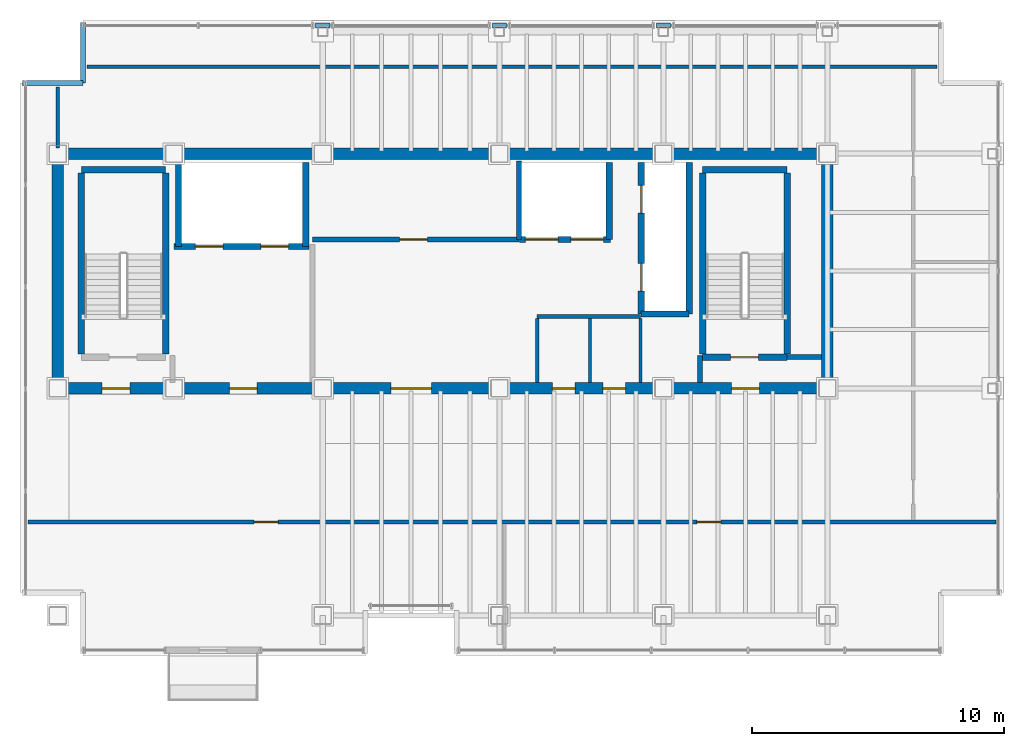
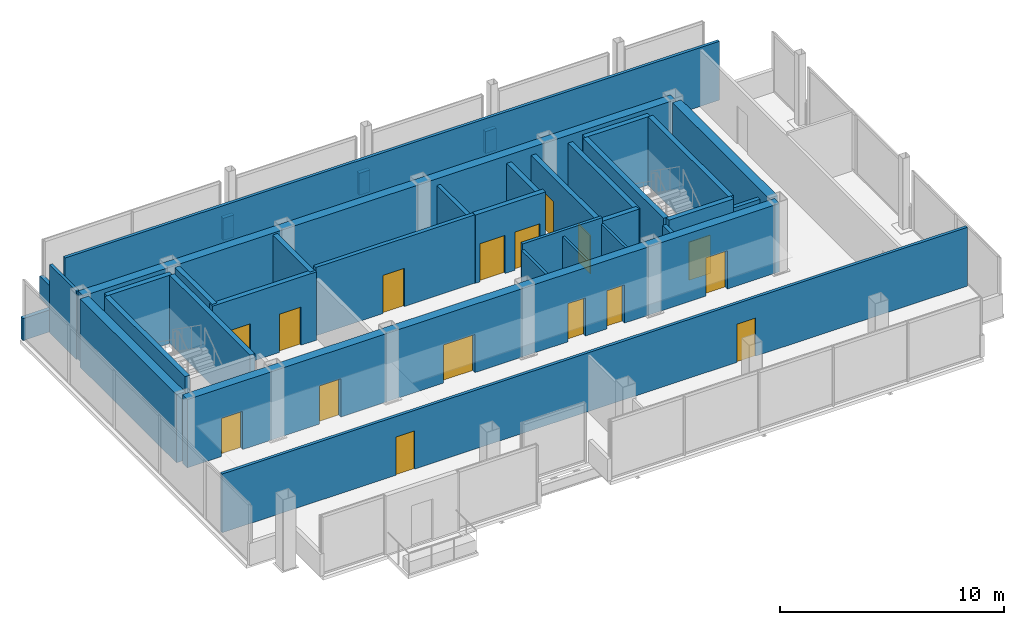
# One storey, part 15 of 17: 35 walls, 16 doors, 16 openings.
"""IFC4 building model written with IfcOpenShell, lengths in metres."""

import ifcopenshell
import ifcopenshell.guid

model = None  # the IFC model being written
_history = None  # IfcOwnerHistory: only IFC2X3 demands one
_inside = {}  # id of a spatial element -> (the spatial element, [elements in it])
_under = {}  # id of a project, library or spatial element -> (it, [spatial elements below it])
_declared = {}  # id of a project -> (the project, [libraries it declares])
_typed = {}  # id of a type object -> (the type object, [elements of that type])
_made_of = {}  # id of a material, layer set ... -> (it, [elements and type objects made of it])


def new_model(schema):
    """Start an empty IFC model of exactly this schema.

    Asked for "IFC4X3", IfcOpenShell would pick the latest addendum, in which some entities
    have other attributes; the version numbers below select the first issue.
    IFC2X3 requires an IfcOwnerHistory on every rooted entity: one is made here for all.
    """
    global model, _history
    if schema == "IFC4X3":
        model = ifcopenshell.file(schema_version=(4, 3, 0, 0))
    else:
        model = ifcopenshell.file(schema=schema)
    _inside.clear()
    _under.clear()
    _declared.clear()
    _typed.clear()
    _made_of.clear()
    _history = None
    if model.schema == "IFC2X3":
        org = make("IfcOrganization", Name="unknown")
        user = make(
            "IfcPersonAndOrganization",
            ThePerson=make("IfcPerson", FamilyName="unknown"),
            TheOrganization=org,
        )
        app = make(
            "IfcApplication",
            ApplicationDeveloper=org,
            Version="unknown",
            ApplicationFullName="unknown",
            ApplicationIdentifier="unknown",
        )
        _history = make(
            "IfcOwnerHistory",
            OwningUser=user,
            OwningApplication=app,
            ChangeAction="ADDED",
            CreationDate=0,
        )
    return model


def make(cls, **values):
    """One entity of the class cls with the attributes given. An attribute that is None is left unset."""
    return model.create_entity(
        cls, **{name: value for name, value in values.items() if value is not None}
    )


def rooted(cls, **values):
    """An entity with a GlobalId (a new one), such as an element, a storey or a relation."""
    return make(cls, GlobalId=ifcopenshell.guid.new(), OwnerHistory=_history, **values)


def si_unit(unit_type, name, prefix=None):
    """IfcSIUnit, for example si_unit("LENGTHUNIT", "METRE", prefix="MILLI")."""
    return make("IfcSIUnit", UnitType=unit_type, Prefix=prefix, Name=name)


def assignment(units):
    """IfcUnitAssignment: the units of a project."""
    return None if units is None else make("IfcUnitAssignment", Units=units)


def point(xyz):
    """IfcCartesianPoint."""
    return None if xyz is None else make("IfcCartesianPoint", Coordinates=xyz)


def direction(xyz):
    """IfcDirection."""
    return None if xyz is None else make("IfcDirection", DirectionRatios=xyz)


def frame(location, z_axis=None, x_axis=None):
    """IfcAxis2Placement3D, a coordinate frame: its origin and axes. An axis left out is left unset."""
    return make(
        "IfcAxis2Placement3D",
        Location=point(location),
        Axis=direction(z_axis),
        RefDirection=direction(x_axis),
    )


def frame_2d(location, x_axis=None):
    """IfcAxis2Placement2D, a coordinate frame in the plane: its origin and x axis."""
    return make(
        "IfcAxis2Placement2D", Location=point(location), RefDirection=direction(x_axis)
    )


def origin():
    """The frame at (0, 0, 0) with its axes left unset."""
    return frame((0.0, 0.0, 0.0))


def place(relative_to, where):
    """IfcLocalPlacement: puts the frame where relative to a parent placement (None: the world)."""
    return make(
        "IfcLocalPlacement", PlacementRelTo=relative_to, RelativePlacement=where
    )


def context(
    kind, dimensions, precision=None, world=None, true_north=None, identifier=None
):
    """IfcGeometricRepresentationContext, for example the 3D "Model" context."""
    return make(
        "IfcGeometricRepresentationContext",
        ContextIdentifier=identifier,
        ContextType=kind,
        CoordinateSpaceDimension=dimensions,
        Precision=precision,
        WorldCoordinateSystem=world,
        TrueNorth=true_north,
    )


def subcontext(parent, identifier, kind, view, scale=None):
    """IfcGeometricRepresentationSubContext, for example "Body" below "Model"."""
    return make(
        "IfcGeometricRepresentationSubContext",
        ContextIdentifier=identifier,
        ContextType=kind,
        ParentContext=parent,
        TargetScale=scale,
        TargetView=view,
    )


def project(units=None, contexts=None):
    """IfcProject with its units and contexts."""
    return rooted(
        "IfcProject",
        Name="project",
        RepresentationContexts=contexts,
        UnitsInContext=assignment(units),
    )


def spatial(cls, under=None, at=None, **own):
    """A site, building, storey or space (cls), placed at a placement, below another one or the project."""
    s = rooted(cls, ObjectPlacement=at, **own)
    if under is not None:
        _under.setdefault(under.id(), (under, []))[1].append(s)
    return s


def profile(cls, at=None, kind="AREA", **sizes):
    """A parametric profile (cls). Its sizes go by their IFC names, for example OverallWidth=200.0."""
    return make(cls, ProfileType=kind, Position=at, **sizes)


def rectangle(**sizes):
    """IfcRectangleProfileDef."""
    return profile("IfcRectangleProfileDef", **sizes)


def extrude(swept, where, along, depth):
    """IfcExtrudedAreaSolid: the profile swept, set in the frame where, extruded along a direction by depth."""
    return make(
        "IfcExtrudedAreaSolid",
        SweptArea=swept,
        Position=where,
        ExtrudedDirection=direction(along),
        Depth=depth,
    )


def shape(context_of_items, identifier, shape_type, items):
    """IfcShapeRepresentation: the items that make up one representation, for example the "Body"."""
    return make(
        "IfcShapeRepresentation",
        ContextOfItems=context_of_items,
        RepresentationIdentifier=identifier,
        RepresentationType=shape_type,
        Items=items,
    )


def material(Name=None, Category=None):
    """IfcMaterial."""
    return make("IfcMaterial", Name=Name, Category=Category)


def layer(
    of_material, thickness, ventilated=None, Name=None, Category=None, Priority=None
):
    """IfcMaterialLayer: one layer of a wall or slab, of a material (None: an air gap)."""
    return make(
        "IfcMaterialLayer",
        Material=of_material,
        LayerThickness=thickness,
        IsVentilated=ventilated,
        Name=Name,
        Category=Category,
        Priority=Priority,
    )


def layer_set(layers, Name=None):
    """IfcMaterialLayerSet."""
    return make("IfcMaterialLayerSet", MaterialLayers=layers, LayerSetName=Name)


def made_of(thing, what):
    """Note that an element or type object is made of a material, layer set ...; save() writes the relation."""
    if what is not None:
        _made_of.setdefault(what.id(), (what, []))[1].append(thing)
    return thing


def type_object(cls, material=None, **own):
    """A type object (cls), such as IfcWallType, which elements share."""
    return made_of(rooted(cls, **own), material)


def element(
    cls,
    number,
    at=None,
    inside=None,
    cuts=None,
    type_object=None,
    material=None,
    context=None,
    identifier="Body",
    shape_type=None,
    held_by="IfcProductDefinitionShape",
    body=None,
    shapes=None,
    **own,
):
    """One element of the class cls, such as IfcWall. Its Tag is "e" and its number.

    at: its placement. inside: the storey or other place that contains it. cuts: it is an
    opening in that element (IfcRelVoidsElement). A single representation is given by context,
    identifier, shape_type and body (its items); several are given by shapes. held_by: the class
    of the entity that holds the representations. save() writes the other relations.
    """
    e = rooted(cls, Tag="e%d" % number, ObjectPlacement=at, **own)
    if body is not None:
        shapes = [shape(context, identifier, shape_type, body)]
    if shapes is not None:
        e.Representation = make(held_by, Representations=shapes)
    if inside is not None:
        _inside.setdefault(inside.id(), (inside, []))[1].append(e)
    if cuts is not None:
        rooted(
            "IfcRelVoidsElement", RelatingBuildingElement=cuts, RelatedOpeningElement=e
        )
    if type_object is not None:
        _typed.setdefault(type_object.id(), (type_object, []))[1].append(e)
    return made_of(e, material)


def fill(opening, filler):
    """IfcRelFillsElement: the door or window that sits in an opening."""
    return rooted(
        "IfcRelFillsElement",
        RelatingOpeningElement=opening,
        RelatedBuildingElement=filler,
    )


def aggregate(whole, parts):
    """IfcRelAggregates: a whole, such as a stair, and the parts it consists of."""
    return rooted("IfcRelAggregates", RelatingObject=whole, RelatedObjects=parts)


def save(model, path):
    """Write the relations noted so far, then the file.

    IfcRelAggregates (storeys below a building ...), IfcRelContainedInSpatialStructure (elements
    in a storey), IfcRelDefinesByType, IfcRelAssociatesMaterial and IfcRelDeclares: one each for
    every whole, place, type object, material and project.
    """
    for whole, parts in _under.values():
        aggregate(whole, parts)
    for where, things in _inside.values():
        rooted(
            "IfcRelContainedInSpatialStructure",
            RelatedElements=things,
            RelatingStructure=where,
        )
    for kind, things in _typed.values():
        rooted("IfcRelDefinesByType", RelatedObjects=things, RelatingType=kind)
    for what, things in _made_of.values():
        rooted("IfcRelAssociatesMaterial", RelatedObjects=things, RelatingMaterial=what)
    for by, libraries in _declared.values():
        rooted("IfcRelDeclares", RelatingContext=by, RelatedDefinitions=libraries)
    model.write(path)


model = new_model("IFC4")

# Units and contexts
model_context = context("Model", 3, precision=1e-05, world=origin(), true_north=direction((0.0, 1.0)))
body_context = subcontext(model_context, "Body", "Model", "MODEL_VIEW")
ifc_project = project(units=[si_unit("LENGTHUNIT", "METRE"), si_unit("AREAUNIT", "SQUARE_METRE"), si_unit("VOLUMEUNIT", "CUBIC_METRE"), si_unit("PLANEANGLEUNIT", "RADIAN"), si_unit("MASSUNIT", "GRAM", prefix="KILO")], contexts=[model_context])

# Site, building, storey
site_placement = place(None, origin())
site = spatial("IfcSite", under=ifc_project, at=site_placement, CompositionType="ELEMENT")
building_placement = place(site_placement, origin())
building = spatial("IfcBuilding", under=site, at=building_placement, Name="Noeulbin Bourse Tower", CompositionType="ELEMENT")
storey_placement = place(building_placement, frame((0.0, 0.0, 285.199951171875)))
storey = spatial("IfcBuildingStorey", under=building, at=storey_placement, Name="L71", CompositionType="ELEMENT", Elevation=285.199951171875)

# Wall, openings, doors
ifc_material_1 = material(Name="Concrete C50/60", Category="concrete")
ifc_layer_1 = layer(ifc_material_1, 0.449951171875)
ifc_layer_set_1 = layer_set([ifc_layer_1], Name="Concrete C50/60")
wall_type_1 = type_object("IfcWallType", Name="WAL-CORE-450", PredefinedType="SHEAR", material=ifc_layer_set_1)
wall_1_placement = place(storey_placement, frame((13.5, 29.0, 0.0), z_axis=(0.0, 0.0, 1.0), x_axis=(1.0, 0.0, 0.0)))
wall_1 = element("IfcWall", 1, at=wall_1_placement, inside=storey, type_object=wall_type_1, Name="Rear Core South Shear Wall L71", PredefinedType="SHEAR", context=body_context, shape_type="SweptSolid", body=[
    extrude(rectangle(XDim=30.5, YDim=0.449951171875, at=frame_2d((15.25, 0.0))), origin(), (0.0, 0.0, 1.0), 3.719970703125),
])
opening_1_placement = place(wall_1_placement, frame((1.75, 0.0, 0.0)))
opening_1 = element("IfcOpeningElement", 2, at=opening_1_placement, cuts=wall_1, Name="Opening FD-11", PredefinedType="OPENING", context=body_context, shape_type="SweptSolid", body=[
    extrude(rectangle(XDim=1.10009765625, YDim=2.080078125, at=frame_2d((0.550048828125, 1.0400390625))), frame((0.0, 0.23486328125, 0.0), z_axis=(0.0, -1.0, 0.0), x_axis=(1.0, 0.0, 0.0)), (0.0, 0.0, 1.0), 0.469970703125),
])
opening_2_placement = place(wall_1_placement, frame((26.699951171875, 0.0, 0.0)))
opening_2 = element("IfcOpeningElement", 3, at=opening_2_placement, cuts=wall_1, Name="Opening FD-11", PredefinedType="OPENING", context=body_context, shape_type="SweptSolid", body=[
    extrude(rectangle(XDim=1.10009765625, YDim=2.080078125, at=frame_2d((0.550048828125, 1.0400390625))), frame((0.0, 0.23486328125, 0.0), z_axis=(0.0, -1.0, 0.0), x_axis=(1.0, 0.0, 0.0)), (0.0, 0.0, 1.0), 0.469970703125),
])
opening_3_placement = place(wall_1_placement, frame((6.800048828125, 0.0, 0.0)))
opening_3 = element("IfcOpeningElement", 4, at=opening_3_placement, cuts=wall_1, Name="Opening FD-11", PredefinedType="OPENING", context=body_context, shape_type="SweptSolid", body=[
    extrude(rectangle(XDim=1.10009765625, YDim=2.080078125, at=frame_2d((0.550048828125, 1.0400390625))), frame((0.0, 0.23486328125, 0.0), z_axis=(0.0, -1.0, 0.0), x_axis=(1.0, 0.0, 0.0)), (0.0, 0.0, 1.0), 0.469970703125),
])
opening_4_placement = place(wall_1_placement, frame((13.199951171875, 0.0, 0.0)))
opening_4 = element("IfcOpeningElement", 5, at=opening_4_placement, cuts=wall_1, Name="Opening ID-16", PredefinedType="OPENING", context=body_context, shape_type="SweptSolid", body=[
    extrude(rectangle(XDim=1.60009765625, YDim=2.080078125, at=frame_2d((0.800048828125, 1.0400390625))), frame((0.0, 0.23486328125, 0.0), z_axis=(0.0, -1.0, 0.0), x_axis=(1.0, 0.0, 0.0)), (0.0, 0.0, 1.0), 0.469970703125),
])
opening_5_placement = place(wall_1_placement, frame((19.60009765625, 0.0, 0.0)))
opening_5 = element("IfcOpeningElement", 6, at=opening_5_placement, cuts=wall_1, Name="Opening FD-09", PredefinedType="OPENING", context=body_context, shape_type="SweptSolid", body=[
    extrude(rectangle(XDim=0.89990234375, YDim=2.080078125, at=frame_2d((0.449951171875, 1.0400390625))), frame((0.0, 0.23486328125, 0.0), z_axis=(0.0, -1.0, 0.0), x_axis=(1.0, 0.0, 0.0)), (0.0, 0.0, 1.0), 0.469970703125),
])
opening_6_placement = place(wall_1_placement, frame((21.60009765625, 0.0, 0.0)))
opening_6 = element("IfcOpeningElement", 7, at=opening_6_placement, cuts=wall_1, Name="Opening FD-09", PredefinedType="OPENING", context=body_context, shape_type="SweptSolid", body=[
    extrude(rectangle(XDim=0.89990234375, YDim=2.080078125, at=frame_2d((0.449951171875, 1.0400390625))), frame((0.0, 0.23486328125, 0.0), z_axis=(0.0, -1.0, 0.0), x_axis=(1.0, 0.0, 0.0)), (0.0, 0.0, 1.0), 0.469970703125),
])
ifc_material_2 = material(Name="Acoustic Glazed Aluminium", Category="aluminium")
door_type_1 = type_object("IfcDoorType", Name="DR-DBL-1600", OperationType="DOUBLE_DOOR_SINGLE_SWING", PredefinedType="DOOR", material=ifc_material_2)
door_1_placement = place(opening_4_placement, origin())
door_1 = element("IfcDoor", 8, at=door_1_placement, inside=storey, type_object=door_type_1, Name="Passenger Lift Lobby Portal L71", OperationType="DOUBLE_DOOR_SINGLE_SWING", OverallHeight=2.080078125, OverallWidth=1.60009765625, PredefinedType="DOOR", context=body_context, shape_type="SweptSolid", body=[
    extrude(rectangle(XDim=1.60009765625, YDim=2.080078125, at=frame_2d((0.800048828125, 1.0400390625))), frame((0.0, 0.02490234375, 0.0), z_axis=(0.0, -1.0, 0.0), x_axis=(1.0, 0.0, 0.0)), (0.0, 0.0, 1.0), 0.050048828125),
])
fill(opening_4, door_1)
ifc_material_3 = material(Name="Fire-Rated Timber Core", Category="wood")
door_type_2 = type_object("IfcDoorType", Name="DR-FD30-900", OperationType="SINGLE_SWING_RIGHT", PredefinedType="DOOR", material=ifc_material_3)
door_2_placement = place(opening_5_placement, origin())
door_2 = element("IfcDoor", 9, at=door_2_placement, inside=storey, type_object=door_type_2, Name="Interior Door L71-06", OperationType="SINGLE_SWING_RIGHT", OverallHeight=2.080078125, OverallWidth=0.89990234375, PredefinedType="DOOR", context=body_context, shape_type="SweptSolid", body=[
    extrude(rectangle(XDim=0.89990234375, YDim=2.080078125, at=frame_2d((0.449951171875, 1.0400390625))), frame((0.0, 0.02490234375, 0.0), z_axis=(0.0, -1.0, 0.0), x_axis=(1.0, 0.0, 0.0)), (0.0, 0.0, 1.0), 0.050048828125),
])
fill(opening_5, door_2)
door_3_placement = place(opening_6_placement, origin())
door_3 = element("IfcDoor", 10, at=door_3_placement, inside=storey, type_object=door_type_2, Name="Interior Door L71-07", OperationType="SINGLE_SWING_LEFT", OverallHeight=2.080078125, OverallWidth=0.89990234375, PredefinedType="DOOR", context=body_context, shape_type="SweptSolid", body=[
    extrude(rectangle(XDim=0.89990234375, YDim=2.080078125, at=frame_2d((0.449951171875, 1.0400390625))), frame((0.0, 0.02490234375, 0.0), z_axis=(0.0, -1.0, 0.0), x_axis=(1.0, 0.0, 0.0)), (0.0, 0.0, 1.0), 0.050048828125),
])
fill(opening_6, door_3)
ifc_material_4 = material(Name="Fire-Rated Insulated Steel", Category="steel")
door_type_3 = type_object("IfcDoorType", Name="DR-FD60-1100", OperationType="SINGLE_SWING_LEFT", PredefinedType="DOOR", material=ifc_material_4)
door_4_placement = place(opening_1_placement, origin())
door_4 = element("IfcDoor", 11, at=door_4_placement, inside=storey, type_object=door_type_3, Name="West Stair Lobby Door L71", OperationType="SINGLE_SWING_LEFT", OverallHeight=2.080078125, OverallWidth=1.10009765625, PredefinedType="DOOR", context=body_context, shape_type="SweptSolid", body=[
    extrude(rectangle(XDim=1.10009765625, YDim=2.080078125, at=frame_2d((0.550048828125, 1.0400390625))), frame((0.0, 0.02490234375, 0.0), z_axis=(0.0, -1.0, 0.0), x_axis=(1.0, 0.0, 0.0)), (0.0, 0.0, 1.0), 0.050048828125),
])
fill(opening_1, door_4)
door_5_placement = place(opening_2_placement, origin())
door_5 = element("IfcDoor", 12, at=door_5_placement, inside=storey, type_object=door_type_3, Name="East Stair Lobby Door L71", OperationType="SINGLE_SWING_RIGHT", OverallHeight=2.080078125, OverallWidth=1.10009765625, PredefinedType="DOOR", context=body_context, shape_type="SweptSolid", body=[
    extrude(rectangle(XDim=1.10009765625, YDim=2.080078125, at=frame_2d((0.550048828125, 1.0400390625))), frame((0.0, 0.02490234375, 0.0), z_axis=(0.0, -1.0, 0.0), x_axis=(1.0, 0.0, 0.0)), (0.0, 0.0, 1.0), 0.050048828125),
])
fill(opening_2, door_5)
door_6_placement = place(opening_3_placement, origin())
door_6 = element("IfcDoor", 13, at=door_6_placement, inside=storey, type_object=door_type_3, Name="Firefighting Lobby Door L71", OperationType="SINGLE_SWING_LEFT", OverallHeight=2.080078125, OverallWidth=1.10009765625, PredefinedType="DOOR", context=body_context, shape_type="SweptSolid", body=[
    extrude(rectangle(XDim=1.10009765625, YDim=2.080078125, at=frame_2d((0.550048828125, 1.0400390625))), frame((0.0, 0.02490234375, 0.0), z_axis=(0.0, -1.0, 0.0), x_axis=(1.0, 0.0, 0.0)), (0.0, 0.0, 1.0), 0.050048828125),
])
fill(opening_3, door_6)

# Walls
wall_2_placement = place(storey_placement, frame((13.5, 38.300048828125, 0.0), z_axis=(0.0, 0.0, 1.0), x_axis=(1.0, 0.0, 0.0)))
element("IfcWall", 14, at=wall_2_placement, inside=storey, type_object=wall_type_1, Name="Rear Core North Shear Wall L71", PredefinedType="SHEAR", context=body_context, shape_type="SweptSolid", body=[
    extrude(rectangle(XDim=30.5, YDim=0.449951171875, at=frame_2d((15.25, 0.0))), origin(), (0.0, 0.0, 1.0), 3.719970703125),
])
for number, where, z_axis, x_axis, name in (
    (15, (13.5, 29.35009765625, 0.0), (0.0, 0.0, 1.0), (0.0, 1.0, 0.0), "Rear Core West Shear Wall L71"),
    (16, (44.0, 29.35009765625, 0.0), (0.0, 0.0, 1.0), (0.0, 1.0, 0.0), "Rear Core East Shear Wall L71"),
):
    element("IfcWall", number, at=place(storey_placement, frame(where, z_axis=z_axis, x_axis=x_axis)), inside=storey, type_object=wall_type_1, Name=name, PredefinedType="SHEAR", context=body_context, shape_type="SweptSolid", body=[
        extrude(rectangle(XDim=8.599853515625, YDim=0.449951171875, at=frame_2d((4.2998046875, 0.0))), origin(), (0.0, 0.0, 1.0), 3.719970703125),
    ])
ifc_material_5 = material(Name="Concrete C40/50", Category="concrete")
ifc_layer_2 = layer(ifc_material_5, 0.199951171875)
ifc_layer_set_2 = layer_set([ifc_layer_2], Name="Concrete C40/50")
wall_type_2 = type_object("IfcWallType", Name="WAL-FIRE-200", PredefinedType="STANDARD", material=ifc_layer_set_2)
wall_3_placement = place(storey_placement, frame((42.39990234375, 30.239990234375, 0.0), z_axis=(0.0, 0.0, 1.0), x_axis=(1.0, 0.0, 0.0)))
element("IfcWall", 17, at=wall_3_placement, inside=storey, type_object=wall_type_2, Name="Interior Partition Wall L71-01", PredefinedType="STANDARD", context=body_context, shape_type="SweptSolid", body=[
    extrude(rectangle(XDim=1.364990234375, YDim=0.199951171875, at=frame_2d((0.6826171875, 0.0))), origin(), (0.0, 0.0, 1.0), 3.199951171875),
])

# Wall, opening, door
wall_4_placement = place(storey_placement, frame((23.60009765625, 34.89990234375, 0.0), z_axis=(0.0, 0.0, 1.0), x_axis=(1.0, 0.0, 0.0)))
wall_4 = element("IfcWall", 18, at=wall_4_placement, inside=storey, type_object=wall_type_2, Name="Interior Partition Wall L71-02", PredefinedType="STANDARD", context=body_context, shape_type="SweptSolid", body=[
    extrude(rectangle(XDim=8.179931640625, YDim=0.199951171875, at=frame_2d((4.08984375, 0.0))), origin(), (0.0, 0.0, 1.0), 3.719970703125),
])
opening_7_placement = place(wall_4_placement, frame((3.449951171875, 0.0, 0.0)))
opening_7 = element("IfcOpeningElement", 19, at=opening_7_placement, cuts=wall_4, Name="Opening FD-11", PredefinedType="OPENING", context=body_context, shape_type="SweptSolid", body=[
    extrude(rectangle(XDim=1.10009765625, YDim=2.080078125, at=frame_2d((0.550048828125, 1.0400390625))), frame((0.0, 0.10986328125, 0.0), z_axis=(0.0, -1.0, 0.0), x_axis=(1.0, 0.0, 0.0)), (0.0, 0.0, 1.0), 0.219970703125),
])
door_7_placement = place(opening_7_placement, origin())
door_7 = element("IfcDoor", 20, at=door_7_placement, inside=storey, type_object=door_type_3, Name="Telemetry Server Door L71", OperationType="SINGLE_SWING_LEFT", OverallHeight=2.080078125, OverallWidth=1.10009765625, PredefinedType="DOOR", context=body_context, shape_type="SweptSolid", body=[
    extrude(rectangle(XDim=1.10009765625, YDim=2.080078125, at=frame_2d((0.550048828125, 1.0400390625))), frame((0.0, 0.02490234375, 0.0), z_axis=(0.0, -1.0, 0.0), x_axis=(1.0, 0.0, 0.0)), (0.0, 0.0, 1.0), 0.050048828125),
])
fill(opening_7, door_7)

# Walls
wall_5_placement = place(storey_placement, frame((38.949951171875, 29.235107421875, 0.0), z_axis=(0.0, 0.0, 1.0), x_axis=(0.0, 1.0, 0.0)))
element("IfcWall", 21, at=wall_5_placement, inside=storey, type_object=wall_type_2, Name="Interior Partition Wall L71-08", PredefinedType="STANDARD", context=body_context, shape_type="SweptSolid", body=[
    extrude(rectangle(XDim=1.06494140625, YDim=0.199951171875, at=frame_2d((0.532470703125, 0.0))), origin(), (0.0, 0.0, 1.0), 3.400146484375),
])
ifc_layer_3 = layer(ifc_material_5, 0.199951171875)
ifc_layer_set_3 = layer_set([ifc_layer_3], Name="Concrete C40/50")
wall_type_3 = type_object("IfcWallType", Name="WAL-PAR-200", PredefinedType="PARAPET", material=ifc_layer_set_3)
for number, where, z_axis, x_axis, name in (
    (22, (23.719970703125, 43.3798828125, 0.0), (0.0, 0.0, 1.0), (1.0, 0.0, 0.0), "Perimeter Pier Spandrel Parapet L71-N1"),
    (23, (30.719970703125, 43.3798828125, 0.0), (0.0, 0.0, 1.0), (1.0, 0.0, 0.0), "Perimeter Pier Spandrel Parapet L71-N2"),
    (24, (37.219970703125, 43.3798828125, 0.0), (0.0, 0.0, 1.0), (1.0, 0.0, 0.0), "Perimeter Pier Spandrel Parapet L71-N3"),
):
    element("IfcWall", number, at=place(storey_placement, frame(where, z_axis=z_axis, x_axis=x_axis)), inside=storey, type_object=wall_type_3, Name=name, PredefinedType="PARAPET", context=body_context, shape_type="SweptSolid", body=[
        extrude(rectangle(XDim=0.56005859375, YDim=0.199951171875, at=frame_2d((0.280029296875, 0.0))), origin(), (0.0, 0.0, 1.0), 1.199951171875),
    ])
for number, where, z_axis, x_axis, name in (
    (25, (12.10009765625, 41.10009765625, 0.0), (0.0, 0.0, 1.0), (1.0, 0.0, 0.0), "Corner Notch Parapet L71-NW1"),
    (26, (14.5, 41.10009765625, 0.0), (0.0, 0.0, 1.0), (0.0, 1.0, 0.0), "Corner Notch Parapet L71-NW2"),
):
    element("IfcWall", number, at=place(storey_placement, frame(where, z_axis=z_axis, x_axis=x_axis)), inside=storey, type_object=wall_type_3, Name=name, PredefinedType="PARAPET", context=body_context, shape_type="SweptSolid", body=[
        extrude(rectangle(XDim=2.39990234375, YDim=0.199951171875, at=frame_2d((1.199951171875, 0.0))), origin(), (0.0, 0.0, 1.0), 1.199951171875),
    ])
ifc_material_6 = material(Name="Steel Stud Gypsum Partition", Category="steel")
ifc_layer_4 = layer(ifc_material_6, 0.1201171875)
ifc_layer_set_4 = layer_set([ifc_layer_4], Name="Steel Stud Gypsum Partition")
wall_type_4 = type_object("IfcWallType", Name="WAL-PRT-120", PredefinedType="PARTITIONING", material=ifc_layer_set_4)
for number, where, z_axis, x_axis, name in (
    (27, (36.60009765625, 29.235107421875, 0.0), (0.0, 0.0, 1.0), (0.0, 1.0, 0.0), "Interior Partition Wall L71-11"),
    (28, (34.60009765625, 29.235107421875, 0.0), (0.0, 0.0, 1.0), (0.0, 1.0, 0.0), "Interior Partition Wall L71-12"),
):
    element("IfcWall", number, at=place(storey_placement, frame(where, z_axis=z_axis, x_axis=x_axis)), inside=storey, type_object=wall_type_4, Name=name, PredefinedType="PARTITIONING", context=body_context, shape_type="SweptSolid", body=[
        extrude(rectangle(XDim=2.52978515625, YDim=0.1201171875, at=frame_2d((1.264892578125, 0.0))), origin(), (0.0, 0.0, 1.0), 3.400146484375),
    ])
ifc_material_7 = material(Name="Steel Stud Acoustic Gypsum Board", Category="steel")
ifc_layer_5 = layer(ifc_material_7, 0.14990234375)
ifc_layer_set_5 = layer_set([ifc_layer_5], Name="Steel Stud Acoustic Gypsum Board")
wall_type_5 = type_object("IfcWallType", Name="WAL-PRT-150", PredefinedType="PARTITIONING", material=ifc_layer_set_5)
wall_6_placement = place(storey_placement, frame((32.5, 31.85009765625, 0.0), z_axis=(0.0, 0.0, 1.0), x_axis=(1.0, 0.0, 0.0)))
element("IfcWall", 29, at=wall_6_placement, inside=storey, type_object=wall_type_5, Name="Interior Partition Wall L71-03", PredefinedType="PARTITIONING", context=body_context, shape_type="SweptSolid", body=[
    extrude(rectangle(XDim=4.10009765625, YDim=0.14990234375, at=frame_2d((2.050048828125, 0.0))), origin(), (0.0, 0.0, 1.0), 3.719970703125),
])

# Wall, openings, doors
wall_7_placement = place(storey_placement, frame((12.31005859375, 23.699951171875, 0.0), z_axis=(0.0, 0.0, 1.0), x_axis=(1.0, 0.0, 0.0)))
wall_7 = element("IfcWall", 30, at=wall_7_placement, inside=storey, type_object=wall_type_5, Name="Interior Partition Wall L71-04", PredefinedType="PARTITIONING", context=body_context, shape_type="SweptSolid", body=[
    extrude(rectangle(XDim=38.3798828125, YDim=0.14990234375, at=frame_2d((19.18994140625, 0.0))), origin(), (0.0, 0.0, 1.0), 3.199951171875),
])
opening_8_placement = place(wall_7_placement, frame((8.969970703125, 0.0, 0.0)))
opening_8 = element("IfcOpeningElement", 31, at=opening_8_placement, cuts=wall_7, Name="Opening ID-09", PredefinedType="OPENING", context=body_context, shape_type="SweptSolid", body=[
    extrude(rectangle(XDim=0.949951171875, YDim=2.080078125, at=frame_2d((0.47509765625, 1.0400390625))), frame((0.0, 0.0849609375, 0.0), z_axis=(0.0, -1.0, 0.0), x_axis=(1.0, 0.0, 0.0)), (0.0, 0.0, 1.0), 0.169921875),
])
opening_9_placement = place(wall_7_placement, frame((26.514892578125, 0.0, 0.0)))
opening_9 = element("IfcOpeningElement", 32, at=opening_9_placement, cuts=wall_7, Name="Opening ID-09", PredefinedType="OPENING", context=body_context, shape_type="SweptSolid", body=[
    extrude(rectangle(XDim=0.949951171875, YDim=2.080078125, at=frame_2d((0.47509765625, 1.0400390625))), frame((0.0, 0.0849609375, 0.0), z_axis=(0.0, -1.0, 0.0), x_axis=(1.0, 0.0, 0.0)), (0.0, 0.0, 1.0), 0.169921875),
])
ifc_material_8 = material(Name="Acoustic Solid-Core Timber", Category="wood")
door_type_4 = type_object("IfcDoorType", Name="DR-SINGLE-950", OperationType="SINGLE_SWING_LEFT", PredefinedType="DOOR", material=ifc_material_8)
door_8_placement = place(opening_8_placement, origin())
door_8 = element("IfcDoor", 33, at=door_8_placement, inside=storey, type_object=door_type_4, Name="Interior Door L71-08", OperationType="SINGLE_SWING_RIGHT", OverallHeight=2.080078125, OverallWidth=0.949951171875, PredefinedType="DOOR", context=body_context, shape_type="SweptSolid", body=[
    extrude(rectangle(XDim=0.949951171875, YDim=2.080078125, at=frame_2d((0.47509765625, 1.0400390625))), frame((0.0, 0.02490234375, 0.0), z_axis=(0.0, -1.0, 0.0), x_axis=(1.0, 0.0, 0.0)), (0.0, 0.0, 1.0), 0.050048828125),
])
fill(opening_8, door_8)
door_9_placement = place(opening_9_placement, origin())
door_9 = element("IfcDoor", 34, at=door_9_placement, inside=storey, type_object=door_type_4, Name="Interior Door L71-09", OperationType="SINGLE_SWING_LEFT", OverallHeight=2.080078125, OverallWidth=0.949951171875, PredefinedType="DOOR", context=body_context, shape_type="SweptSolid", body=[
    extrude(rectangle(XDim=0.949951171875, YDim=2.080078125, at=frame_2d((0.47509765625, 1.0400390625))), frame((0.0, 0.02490234375, 0.0), z_axis=(0.0, -1.0, 0.0), x_axis=(1.0, 0.0, 0.0)), (0.0, 0.0, 1.0), 0.050048828125),
])
fill(opening_9, door_9)

# Walls
wall_8_placement = place(storey_placement, frame((14.659912109375, 41.75, 0.0), z_axis=(0.0, 0.0, 1.0), x_axis=(1.0, 0.0, 0.0)))
element("IfcWall", 35, at=wall_8_placement, inside=storey, type_object=wall_type_5, Name="Interior Partition Wall L71-06", PredefinedType="PARTITIONING", context=body_context, shape_type="SweptSolid", body=[
    extrude(rectangle(XDim=33.68017578125, YDim=0.14990234375, at=frame_2d((16.840087890625, 0.0))), origin(), (0.0, 0.0, 1.0), 3.199951171875),
])
wall_9_placement = place(storey_placement, frame((32.5, 29.235107421875, 0.0), z_axis=(0.0, 0.0, 1.0), x_axis=(0.0, 1.0, 0.0)))
element("IfcWall", 36, at=wall_9_placement, inside=storey, type_object=wall_type_5, Name="Interior Partition Wall L71-10", PredefinedType="PARTITIONING", context=body_context, shape_type="SweptSolid", body=[
    extrude(rectangle(XDim=2.52978515625, YDim=0.14990234375, at=frame_2d((1.264892578125, 0.0))), origin(), (0.0, 0.0, 1.0), 3.400146484375),
])
wall_10_placement = place(storey_placement, frame((13.5, 38.534912109375, 0.0), z_axis=(0.0, 0.0, 1.0), x_axis=(0.0, 1.0, 0.0)))
element("IfcWall", 37, at=wall_10_placement, inside=storey, type_object=wall_type_5, Name="Interior Partition Wall L71-15", PredefinedType="PARTITIONING", context=body_context, shape_type="SweptSolid", body=[
    extrude(rectangle(XDim=2.405029296875, YDim=0.14990234375, at=frame_2d((1.20263671875, 0.0))), origin(), (0.0, 0.0, 1.0), 3.719970703125),
])
ifc_layer_6 = layer(ifc_material_5, 0.25)
ifc_layer_set_6 = layer_set([ifc_layer_6], Name="Concrete C40/50")
wall_type_6 = type_object("IfcWallType", Name="WAL-SHFT-250", PredefinedType="STANDARD", material=ifc_layer_set_6)
wall_11_placement = place(storey_placement, frame((14.429931640625, 37.6689453125, 0.0), z_axis=(0.0, 0.0, 1.0), x_axis=(1.0, 0.0, 0.0)))
element("IfcWall", 38, at=wall_11_placement, inside=storey, type_object=wall_type_6, Name="Stair ST-1 North Shaft Wall L71", PredefinedType="STANDARD", context=body_context, shape_type="SweptSolid", body=[
    extrude(rectangle(XDim=3.340087890625, YDim=0.25, at=frame_2d((1.669921875, 0.0))), origin(), (0.0, 0.0, 1.0), 3.719970703125),
])
for number, where, z_axis, x_axis, name in (
    (39, (14.425048828125, 30.360107421875, 0.0), (0.0, 0.0, 1.0), (0.0, 1.0, 0.0), "Stair ST-1 West Shaft Wall L71"),
    (40, (17.77490234375, 30.360107421875, 0.0), (0.0, 0.0, 1.0), (0.0, 1.0, 0.0), "Stair ST-1 East Shaft Wall L71"),
):
    element("IfcWall", number, at=place(storey_placement, frame(where, z_axis=z_axis, x_axis=x_axis)), inside=storey, type_object=wall_type_6, Name=name, PredefinedType="STANDARD", context=body_context, shape_type="SweptSolid", body=[
        extrude(rectangle(XDim=7.183837890625, YDim=0.25, at=frame_2d((3.591796875, 0.0))), origin(), (0.0, 0.0, 1.0), 3.719970703125),
    ])

# Wall, opening, door
wall_12_placement = place(storey_placement, frame((39.06005859375, 30.235107421875, 0.0), z_axis=(0.0, 0.0, 1.0), x_axis=(1.0, 0.0, 0.0)))
wall_12 = element("IfcWall", 41, at=wall_12_placement, inside=storey, type_object=wall_type_6, Name="Stair ST-2 South Shaft Wall L71", PredefinedType="STANDARD", context=body_context, shape_type="SweptSolid", body=[
    extrude(rectangle(XDim=3.33984375, YDim=0.25, at=frame_2d((1.669921875, 0.0))), origin(), (0.0, 0.0, 1.0), 3.719970703125),
])
opening_10_placement = place(wall_12_placement, frame((1.10009765625, 0.0, 0.0)))
opening_10 = element("IfcOpeningElement", 42, at=opening_10_placement, cuts=wall_12, Name="Opening FD-11", PredefinedType="OPENING", context=body_context, shape_type="SweptSolid", body=[
    extrude(rectangle(XDim=1.10009765625, YDim=2.080078125, at=frame_2d((0.550048828125, 1.0400390625))), frame((0.0, 0.135009765625, 0.0), z_axis=(0.0, -1.0, 0.0), x_axis=(1.0, 0.0, 0.0)), (0.0, 0.0, 1.0), 0.27001953125),
])
door_10_placement = place(opening_10_placement, origin())
door_10 = element("IfcDoor", 43, at=door_10_placement, inside=storey, type_object=door_type_3, Name="Protected Stair Entry Door ST2-L71", OperationType="SINGLE_SWING_RIGHT", OverallHeight=2.080078125, OverallWidth=1.10009765625, PredefinedType="DOOR", context=body_context, shape_type="SweptSolid", body=[
    extrude(rectangle(XDim=1.10009765625, YDim=2.080078125, at=frame_2d((0.550048828125, 1.0400390625))), frame((0.0, 0.02490234375, 0.0), z_axis=(0.0, -1.0, 0.0), x_axis=(1.0, 0.0, 0.0)), (0.0, 0.0, 1.0), 0.050048828125),
])
fill(opening_10, door_10)

# Walls
wall_13_placement = place(storey_placement, frame((39.06005859375, 37.6689453125, 0.0), z_axis=(0.0, 0.0, 1.0), x_axis=(1.0, 0.0, 0.0)))
element("IfcWall", 44, at=wall_13_placement, inside=storey, type_object=wall_type_6, Name="Stair ST-2 North Shaft Wall L71", PredefinedType="STANDARD", context=body_context, shape_type="SweptSolid", body=[
    extrude(rectangle(XDim=3.33984375, YDim=0.25, at=frame_2d((1.669921875, 0.0))), origin(), (0.0, 0.0, 1.0), 3.719970703125),
])
for number, where, z_axis, x_axis, name in (
    (45, (39.054931640625, 30.360107421875, 0.0), (0.0, 0.0, 1.0), (0.0, 1.0, 0.0), "Stair ST-2 West Shaft Wall L71"),
    (46, (42.405029296875, 30.360107421875, 0.0), (0.0, 0.0, 1.0), (0.0, 1.0, 0.0), "Stair ST-2 East Shaft Wall L71"),
):
    element("IfcWall", number, at=place(storey_placement, frame(where, z_axis=z_axis, x_axis=x_axis)), inside=storey, type_object=wall_type_6, Name=name, PredefinedType="STANDARD", context=body_context, shape_type="SweptSolid", body=[
        extrude(rectangle(XDim=7.183837890625, YDim=0.25, at=frame_2d((3.591796875, 0.0))), origin(), (0.0, 0.0, 1.0), 3.719970703125),
    ])

# Wall, openings, doors
wall_14_placement = place(storey_placement, frame((18.10009765625, 34.6201171875, 0.0), z_axis=(0.0, 0.0, 1.0), x_axis=(1.0, 0.0, 0.0)))
wall_14 = element("IfcWall", 47, at=wall_14_placement, inside=storey, type_object=wall_type_6, Name="Firefighting Lift Shaft Front L71", PredefinedType="STANDARD", context=body_context, shape_type="SweptSolid", body=[
    extrude(rectangle(XDim=5.349853515625, YDim=0.25, at=frame_2d((2.6748046875, 0.0))), origin(), (0.0, 0.0, 1.0), 3.719970703125),
])
opening_11_placement = place(wall_14_placement, frame((0.85009765625, 0.0, 0.0)))
opening_11 = element("IfcOpeningElement", 48, at=opening_11_placement, cuts=wall_14, Name="Opening LD-11", PredefinedType="OPENING", context=body_context, shape_type="SweptSolid", body=[
    extrude(rectangle(XDim=1.10009765625, YDim=2.080078125, at=frame_2d((0.550048828125, 1.0400390625))), frame((0.0, 0.135009765625, 0.0), z_axis=(0.0, -1.0, 0.0), x_axis=(1.0, 0.0, 0.0)), (0.0, 0.0, 1.0), 0.27001953125),
])
opening_12_placement = place(wall_14_placement, frame((3.449951171875, 0.0, 0.0)))
opening_12 = element("IfcOpeningElement", 49, at=opening_12_placement, cuts=wall_14, Name="Opening LD-11", PredefinedType="OPENING", context=body_context, shape_type="SweptSolid", body=[
    extrude(rectangle(XDim=1.10009765625, YDim=2.080078125, at=frame_2d((0.550048828125, 1.0400390625))), frame((0.0, 0.135009765625, 0.0), z_axis=(0.0, -1.0, 0.0), x_axis=(1.0, 0.0, 0.0)), (0.0, 0.0, 1.0), 0.27001953125),
])
ifc_material_9 = material(Name="Brushed Stainless Steel 316", Category="steel")
door_type_5 = type_object("IfcDoorType", Name="DR-LIFT-1100", OperationType="SLIDING_TO_LEFT", PredefinedType="DOOR", material=ifc_material_9)
door_11_placement = place(opening_11_placement, origin())
door_11 = element("IfcDoor", 50, at=door_11_placement, inside=storey, type_object=door_type_5, Name="Lift Landing Door LD-FL-01-L71", OperationType="SLIDING_TO_LEFT", OverallHeight=2.080078125, OverallWidth=1.10009765625, PredefinedType="DOOR", context=body_context, shape_type="SweptSolid", body=[
    extrude(rectangle(XDim=1.10009765625, YDim=2.080078125, at=frame_2d((0.550048828125, 1.0400390625))), frame((0.0, 0.02490234375, 0.0), z_axis=(0.0, -1.0, 0.0), x_axis=(1.0, 0.0, 0.0)), (0.0, 0.0, 1.0), 0.050048828125),
])
fill(opening_11, door_11)
door_12_placement = place(opening_12_placement, origin())
door_12 = element("IfcDoor", 51, at=door_12_placement, inside=storey, type_object=door_type_5, Name="Lift Landing Door LD-FL-02-L71", OperationType="SLIDING_TO_LEFT", OverallHeight=2.080078125, OverallWidth=1.10009765625, PredefinedType="DOOR", context=body_context, shape_type="SweptSolid", body=[
    extrude(rectangle(XDim=1.10009765625, YDim=2.080078125, at=frame_2d((0.550048828125, 1.0400390625))), frame((0.0, 0.02490234375, 0.0), z_axis=(0.0, -1.0, 0.0), x_axis=(1.0, 0.0, 0.0)), (0.0, 0.0, 1.0), 0.050048828125),
])
fill(opening_12, door_12)

wall_15_placement = place(storey_placement, frame((36.6201171875, 31.949951171875, 0.0), z_axis=(0.0, 0.0, 1.0), x_axis=(0.0, 1.0, 0.0)))
wall_15 = element("IfcWall", 52, at=wall_15_placement, inside=storey, type_object=wall_type_6, Name="Service Lift Shaft Wall L71", PredefinedType="STANDARD", context=body_context, shape_type="SweptSolid", body=[
    extrude(rectangle(XDim=6.0, YDim=0.25, at=frame_2d((3.0, 0.0))), origin(), (0.0, 0.0, 1.0), 3.400146484375),
])
opening_13_placement = place(wall_15_placement, frame((0.89990234375, 0.0, 0.0)))
opening_13 = element("IfcOpeningElement", 53, at=opening_13_placement, cuts=wall_15, Name="Opening LD-11", PredefinedType="OPENING", context=body_context, shape_type="SweptSolid", body=[
    extrude(rectangle(XDim=1.10009765625, YDim=2.080078125, at=frame_2d((0.550048828125, 1.0400390625))), frame((0.0, 0.135009765625, 0.0), z_axis=(0.0, -1.0, 0.0), x_axis=(1.0, 0.0, 0.0)), (0.0, 0.0, 1.0), 0.27001953125),
])
opening_14_placement = place(wall_15_placement, frame((4.0, 0.0, 0.0)))
opening_14 = element("IfcOpeningElement", 54, at=opening_14_placement, cuts=wall_15, Name="Opening LD-11", PredefinedType="OPENING", context=body_context, shape_type="SweptSolid", body=[
    extrude(rectangle(XDim=1.10009765625, YDim=2.080078125, at=frame_2d((0.550048828125, 1.0400390625))), frame((0.0, 0.135009765625, 0.0), z_axis=(0.0, -1.0, 0.0), x_axis=(1.0, 0.0, 0.0)), (0.0, 0.0, 1.0), 0.27001953125),
])
door_13_placement = place(opening_13_placement, origin())
door_13 = element("IfcDoor", 55, at=door_13_placement, inside=storey, type_object=door_type_5, Name="Lift Landing Door LD-EL-01-L71", OperationType="SLIDING_TO_LEFT", OverallHeight=2.080078125, OverallWidth=1.10009765625, PredefinedType="DOOR", context=body_context, shape_type="SweptSolid", body=[
    extrude(rectangle(XDim=1.10009765625, YDim=2.080078125, at=frame_2d((0.550048828125, 1.0400390625))), frame((0.0, 0.02490234375, 0.0), z_axis=(0.0, -1.0, 0.0), x_axis=(1.0, 0.0, 0.0)), (0.0, 0.0, 1.0), 0.050048828125),
])
fill(opening_13, door_13)
door_14_placement = place(opening_14_placement, origin())
door_14 = element("IfcDoor", 56, at=door_14_placement, inside=storey, type_object=door_type_5, Name="Lift Landing Door LD-SV-01-L71", OperationType="SLIDING_TO_LEFT", OverallHeight=2.080078125, OverallWidth=1.10009765625, PredefinedType="DOOR", context=body_context, shape_type="SweptSolid", body=[
    extrude(rectangle(XDim=1.10009765625, YDim=2.080078125, at=frame_2d((0.550048828125, 1.0400390625))), frame((0.0, 0.02490234375, 0.0), z_axis=(0.0, -1.0, 0.0), x_axis=(1.0, 0.0, 0.0)), (0.0, 0.0, 1.0), 0.050048828125),
])
fill(opening_14, door_14)

# Walls
wall_16_placement = place(storey_placement, frame((38.52001953125, 31.949951171875, 0.0), z_axis=(0.0, 0.0, 1.0), x_axis=(0.0, 1.0, 0.0)))
element("IfcWall", 57, at=wall_16_placement, inside=storey, type_object=wall_type_6, Name="Service Lift East Shaft Wall L71", PredefinedType="STANDARD", context=body_context, shape_type="SweptSolid", body=[
    extrude(rectangle(XDim=6.0, YDim=0.25, at=frame_2d((3.0, 0.0))), origin(), (0.0, 0.0, 1.0), 3.400146484375),
])
wall_17_placement = place(storey_placement, frame((36.6201171875, 31.949951171875, 0.0), z_axis=(0.0, 0.0, 1.0), x_axis=(1.0, 0.0, 0.0)))
element("IfcWall", 58, at=wall_17_placement, inside=storey, type_object=wall_type_6, Name="Service Lift South Shaft Wall L71", PredefinedType="STANDARD", context=body_context, shape_type="SweptSolid", body=[
    extrude(rectangle(XDim=1.89990234375, YDim=0.25, at=frame_2d((0.949951171875, 0.0))), origin(), (0.0, 0.0, 1.0), 3.47998046875),
])
for number, where, z_axis, x_axis, name in (
    (59, (18.280029296875, 34.6201171875, 0.0), (0.0, 0.0, 1.0), (0.0, 1.0, 0.0), "Firefighting Lift West Shaft Wall L71"),
    (60, (23.320068359375, 34.6201171875, 0.0), (0.0, 0.0, 1.0), (0.0, 1.0, 0.0), "Firefighting Lift East Shaft Wall L71"),
):
    element("IfcWall", number, at=place(storey_placement, frame(where, z_axis=z_axis, x_axis=x_axis)), inside=storey, type_object=wall_type_6, Name=name, PredefinedType="STANDARD", context=body_context, shape_type="SweptSolid", body=[
        extrude(rectangle(XDim=3.329833984375, YDim=0.25, at=frame_2d((1.6650390625, 0.0))), origin(), (0.0, 0.0, 1.0), 3.719970703125),
    ])
wall_18_placement = place(storey_placement, frame((35.360107421875, 34.89990234375, 0.0), z_axis=(0.0, 0.0, 1.0), x_axis=(0.0, 1.0, 0.0)))
element("IfcWall", 61, at=wall_18_placement, inside=storey, type_object=wall_type_6, Name="High-Rise Lift East Shaft Wall L71", PredefinedType="STANDARD", context=body_context, shape_type="SweptSolid", body=[
    extrude(rectangle(XDim=3.050048828125, YDim=0.25, at=frame_2d((1.52490234375, 0.0))), origin(), (0.0, 0.0, 1.0), 3.400146484375),
])

# Wall, openings, doors
wall_19_placement = place(storey_placement, frame((31.800048828125, 34.89990234375, 0.0), z_axis=(0.0, 0.0, 1.0), x_axis=(1.0, 0.0, 0.0)))
wall_19 = element("IfcWall", 62, at=wall_19_placement, inside=storey, type_object=wall_type_6, Name="High-Rise Lift Bank Front L71", PredefinedType="STANDARD", context=body_context, shape_type="SweptSolid", body=[
    extrude(rectangle(XDim=3.599853515625, YDim=0.25, at=frame_2d((1.7998046875, 0.0))), origin(), (0.0, 0.0, 1.0), 3.719970703125),
])
opening_15_placement = place(wall_19_placement, frame((0.22998046875, 0.0, 0.0)))
opening_15 = element("IfcOpeningElement", 63, at=opening_15_placement, cuts=wall_19, Name="Opening LD-13", PredefinedType="OPENING", context=body_context, shape_type="SweptSolid", body=[
    extrude(rectangle(XDim=1.300048828125, YDim=2.080078125, at=frame_2d((0.64990234375, 1.0400390625))), frame((0.0, 0.135009765625, 0.0), z_axis=(0.0, -1.0, 0.0), x_axis=(1.0, 0.0, 0.0)), (0.0, 0.0, 1.0), 0.27001953125),
])
opening_16_placement = place(wall_19_placement, frame((2.030029296875, 0.0, 0.0)))
opening_16 = element("IfcOpeningElement", 64, at=opening_16_placement, cuts=wall_19, Name="Opening LD-13", PredefinedType="OPENING", context=body_context, shape_type="SweptSolid", body=[
    extrude(rectangle(XDim=1.300048828125, YDim=2.080078125, at=frame_2d((0.64990234375, 1.0400390625))), frame((0.0, 0.135009765625, 0.0), z_axis=(0.0, -1.0, 0.0), x_axis=(1.0, 0.0, 0.0)), (0.0, 0.0, 1.0), 0.27001953125),
])
door_type_6 = type_object("IfcDoorType", Name="DR-LIFT-1300", OperationType="DOUBLE_DOOR_SLIDING", PredefinedType="DOOR", material=ifc_material_9)
door_15_placement = place(opening_15_placement, origin())
door_15 = element("IfcDoor", 65, at=door_15_placement, inside=storey, type_object=door_type_6, Name="Lift Landing Door LD-PL-H1-L71", OperationType="DOUBLE_DOOR_SLIDING", OverallHeight=2.080078125, OverallWidth=1.300048828125, PredefinedType="DOOR", context=body_context, shape_type="SweptSolid", body=[
    extrude(rectangle(XDim=1.300048828125, YDim=2.080078125, at=frame_2d((0.64990234375, 1.0400390625))), frame((0.0, 0.02490234375, 0.0), z_axis=(0.0, -1.0, 0.0), x_axis=(1.0, 0.0, 0.0)), (0.0, 0.0, 1.0), 0.050048828125),
])
fill(opening_15, door_15)
door_16_placement = place(opening_16_placement, origin())
door_16 = element("IfcDoor", 66, at=door_16_placement, inside=storey, type_object=door_type_6, Name="Lift Landing Door LD-PL-H2-L71", OperationType="DOUBLE_DOOR_SLIDING", OverallHeight=2.080078125, OverallWidth=1.300048828125, PredefinedType="DOOR", context=body_context, shape_type="SweptSolid", body=[
    extrude(rectangle(XDim=1.300048828125, YDim=2.080078125, at=frame_2d((0.64990234375, 1.0400390625))), frame((0.0, 0.02490234375, 0.0), z_axis=(0.0, -1.0, 0.0), x_axis=(1.0, 0.0, 0.0)), (0.0, 0.0, 1.0), 0.050048828125),
])
fill(opening_16, door_16)

# Wall
wall_20_placement = place(storey_placement, frame((31.780029296875, 34.89990234375, 0.0), z_axis=(0.0, 0.0, 1.0), x_axis=(0.0, 1.0, 0.0)))
element("IfcWall", 67, at=wall_20_placement, inside=storey, type_object=wall_type_6, Name="Hoistway Side Shaft Wall L71-PLHW", PredefinedType="STANDARD", context=body_context, shape_type="SweptSolid", body=[
    extrude(rectangle(XDim=3.1201171875, YDim=0.199951171875, at=frame_2d((1.56005859375, 0.0))), origin(), (0.0, 0.0, 1.0), 3.400146484375),
])

save(model, "model.ifc")
